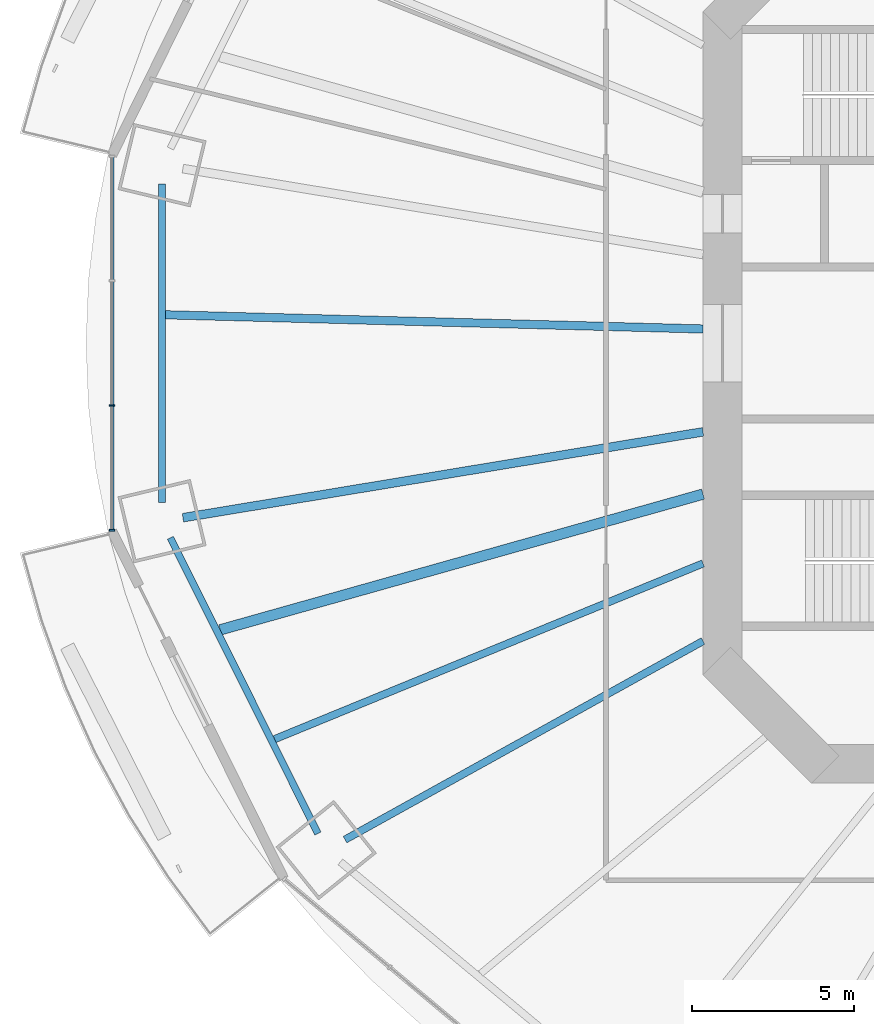
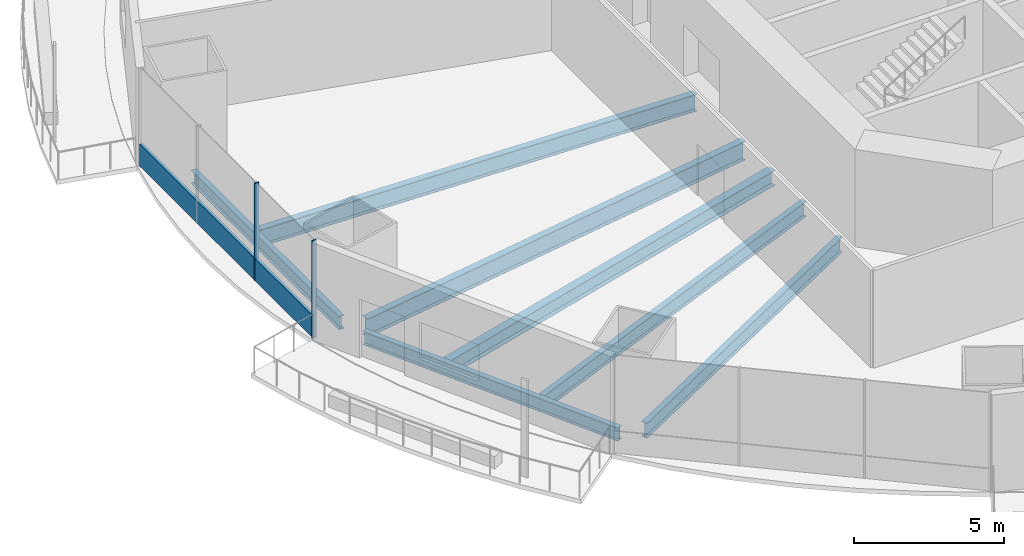
# One storey, part 3 of 22: 7 beams, 3 members, 1 element without a shape of its own.
"""IFC4 building model written with IfcOpenShell, lengths in metres."""

import ifcopenshell
import ifcopenshell.guid

model = None  # the IFC model being written
_history = None  # IfcOwnerHistory: only IFC2X3 demands one
_inside = {}  # id of a spatial element -> (the spatial element, [elements in it])
_under = {}  # id of a project, library or spatial element -> (it, [spatial elements below it])
_declared = {}  # id of a project -> (the project, [libraries it declares])
_typed = {}  # id of a type object -> (the type object, [elements of that type])
_made_of = {}  # id of a material, layer set ... -> (it, [elements and type objects made of it])


def new_model(schema):
    """Start an empty IFC model of exactly this schema.

    Asked for "IFC4X3", IfcOpenShell would pick the latest addendum, in which some entities
    have other attributes; the version numbers below select the first issue.
    IFC2X3 requires an IfcOwnerHistory on every rooted entity: one is made here for all.
    """
    global model, _history
    if schema == "IFC4X3":
        model = ifcopenshell.file(schema_version=(4, 3, 0, 0))
    else:
        model = ifcopenshell.file(schema=schema)
    _inside.clear()
    _under.clear()
    _declared.clear()
    _typed.clear()
    _made_of.clear()
    _history = None
    if model.schema == "IFC2X3":
        org = make("IfcOrganization", Name="unknown")
        user = make(
            "IfcPersonAndOrganization",
            ThePerson=make("IfcPerson", FamilyName="unknown"),
            TheOrganization=org,
        )
        app = make(
            "IfcApplication",
            ApplicationDeveloper=org,
            Version="unknown",
            ApplicationFullName="unknown",
            ApplicationIdentifier="unknown",
        )
        _history = make(
            "IfcOwnerHistory",
            OwningUser=user,
            OwningApplication=app,
            ChangeAction="ADDED",
            CreationDate=0,
        )
    return model


def make(cls, **values):
    """One entity of the class cls with the attributes given. An attribute that is None is left unset."""
    return model.create_entity(
        cls, **{name: value for name, value in values.items() if value is not None}
    )


def rooted(cls, **values):
    """An entity with a GlobalId (a new one), such as an element, a storey or a relation."""
    return make(cls, GlobalId=ifcopenshell.guid.new(), OwnerHistory=_history, **values)


def si_unit(unit_type, name, prefix=None):
    """IfcSIUnit, for example si_unit("LENGTHUNIT", "METRE", prefix="MILLI")."""
    return make("IfcSIUnit", UnitType=unit_type, Prefix=prefix, Name=name)


def assignment(units):
    """IfcUnitAssignment: the units of a project."""
    return None if units is None else make("IfcUnitAssignment", Units=units)


def point(xyz):
    """IfcCartesianPoint."""
    return None if xyz is None else make("IfcCartesianPoint", Coordinates=xyz)


def direction(xyz):
    """IfcDirection."""
    return None if xyz is None else make("IfcDirection", DirectionRatios=xyz)


def frame(location, z_axis=None, x_axis=None):
    """IfcAxis2Placement3D, a coordinate frame: its origin and axes. An axis left out is left unset."""
    return make(
        "IfcAxis2Placement3D",
        Location=point(location),
        Axis=direction(z_axis),
        RefDirection=direction(x_axis),
    )


def frame_2d(location, x_axis=None):
    """IfcAxis2Placement2D, a coordinate frame in the plane: its origin and x axis."""
    return make(
        "IfcAxis2Placement2D", Location=point(location), RefDirection=direction(x_axis)
    )


def origin():
    """The frame at (0, 0, 0) with its axes left unset."""
    return frame((0.0, 0.0, 0.0))


def origin_2d():
    """The frame at (0, 0) in the plane with its x axis left unset."""
    return frame_2d((0.0, 0.0))


def place(relative_to, where):
    """IfcLocalPlacement: puts the frame where relative to a parent placement (None: the world)."""
    return make(
        "IfcLocalPlacement", PlacementRelTo=relative_to, RelativePlacement=where
    )


def context(
    kind, dimensions, precision=None, world=None, true_north=None, identifier=None
):
    """IfcGeometricRepresentationContext, for example the 3D "Model" context."""
    return make(
        "IfcGeometricRepresentationContext",
        ContextIdentifier=identifier,
        ContextType=kind,
        CoordinateSpaceDimension=dimensions,
        Precision=precision,
        WorldCoordinateSystem=world,
        TrueNorth=true_north,
    )


def subcontext(parent, identifier, kind, view, scale=None):
    """IfcGeometricRepresentationSubContext, for example "Body" below "Model"."""
    return make(
        "IfcGeometricRepresentationSubContext",
        ContextIdentifier=identifier,
        ContextType=kind,
        ParentContext=parent,
        TargetScale=scale,
        TargetView=view,
    )


def project(units=None, contexts=None):
    """IfcProject with its units and contexts."""
    return rooted(
        "IfcProject",
        Name="project",
        RepresentationContexts=contexts,
        UnitsInContext=assignment(units),
    )


def spatial(cls, under=None, at=None, **own):
    """A site, building, storey or space (cls), placed at a placement, below another one or the project."""
    s = rooted(cls, ObjectPlacement=at, **own)
    if under is not None:
        _under.setdefault(under.id(), (under, []))[1].append(s)
    return s


def profile(cls, at=None, kind="AREA", **sizes):
    """A parametric profile (cls). Its sizes go by their IFC names, for example OverallWidth=200.0."""
    return make(cls, ProfileType=kind, Position=at, **sizes)


def rectangle(**sizes):
    """IfcRectangleProfileDef."""
    return profile("IfcRectangleProfileDef", **sizes)


def i_section(**sizes):
    """IfcIShapeProfileDef."""
    return profile("IfcIShapeProfileDef", **sizes)


def extrude(swept, where, along, depth):
    """IfcExtrudedAreaSolid: the profile swept, set in the frame where, extruded along a direction by depth."""
    return make(
        "IfcExtrudedAreaSolid",
        SweptArea=swept,
        Position=where,
        ExtrudedDirection=direction(along),
        Depth=depth,
    )


def shape(context_of_items, identifier, shape_type, items):
    """IfcShapeRepresentation: the items that make up one representation, for example the "Body"."""
    return make(
        "IfcShapeRepresentation",
        ContextOfItems=context_of_items,
        RepresentationIdentifier=identifier,
        RepresentationType=shape_type,
        Items=items,
    )


def material(Name=None, Category=None):
    """IfcMaterial."""
    return make("IfcMaterial", Name=Name, Category=Category)


def material_profile(
    of_material, cross_section, Name=None, Category=None, Priority=None
):
    """IfcMaterialProfile: a cross section and its material."""
    return make(
        "IfcMaterialProfile",
        Name=Name,
        Material=of_material,
        Profile=cross_section,
        Priority=Priority,
        Category=Category,
    )


def profile_set(profiles, Name=None, composite=None):
    """IfcMaterialProfileSet."""
    return make(
        "IfcMaterialProfileSet",
        Name=Name,
        MaterialProfiles=profiles,
        CompositeProfile=composite,
    )


def made_of(thing, what):
    """Note that an element or type object is made of a material, layer set ...; save() writes the relation."""
    if what is not None:
        _made_of.setdefault(what.id(), (what, []))[1].append(thing)
    return thing


def type_object(cls, material=None, **own):
    """A type object (cls), such as IfcWallType, which elements share."""
    return made_of(rooted(cls, **own), material)


def element(
    cls,
    number,
    at=None,
    inside=None,
    cuts=None,
    type_object=None,
    material=None,
    context=None,
    identifier="Body",
    shape_type=None,
    held_by="IfcProductDefinitionShape",
    body=None,
    shapes=None,
    **own,
):
    """One element of the class cls, such as IfcWall. Its Tag is "e" and its number.

    at: its placement. inside: the storey or other place that contains it. cuts: it is an
    opening in that element (IfcRelVoidsElement). A single representation is given by context,
    identifier, shape_type and body (its items); several are given by shapes. held_by: the class
    of the entity that holds the representations. save() writes the other relations.
    """
    e = rooted(cls, Tag="e%d" % number, ObjectPlacement=at, **own)
    if body is not None:
        shapes = [shape(context, identifier, shape_type, body)]
    if shapes is not None:
        e.Representation = make(held_by, Representations=shapes)
    if inside is not None:
        _inside.setdefault(inside.id(), (inside, []))[1].append(e)
    if cuts is not None:
        rooted(
            "IfcRelVoidsElement", RelatingBuildingElement=cuts, RelatedOpeningElement=e
        )
    if type_object is not None:
        _typed.setdefault(type_object.id(), (type_object, []))[1].append(e)
    return made_of(e, material)


def aggregate(whole, parts):
    """IfcRelAggregates: a whole, such as a stair, and the parts it consists of."""
    return rooted("IfcRelAggregates", RelatingObject=whole, RelatedObjects=parts)


def save(model, path):
    """Write the relations noted so far, then the file.

    IfcRelAggregates (storeys below a building ...), IfcRelContainedInSpatialStructure (elements
    in a storey), IfcRelDefinesByType, IfcRelAssociatesMaterial and IfcRelDeclares: one each for
    every whole, place, type object, material and project.
    """
    for whole, parts in _under.values():
        aggregate(whole, parts)
    for where, things in _inside.values():
        rooted(
            "IfcRelContainedInSpatialStructure",
            RelatedElements=things,
            RelatingStructure=where,
        )
    for kind, things in _typed.values():
        rooted("IfcRelDefinesByType", RelatedObjects=things, RelatingType=kind)
    for what, things in _made_of.values():
        rooted("IfcRelAssociatesMaterial", RelatedObjects=things, RelatingMaterial=what)
    for by, libraries in _declared.values():
        rooted("IfcRelDeclares", RelatingContext=by, RelatedDefinitions=libraries)
    model.write(path)


model = new_model("IFC4")

# Units and contexts
model_context = context("Model", 3, precision=1e-05, world=origin(), true_north=direction((0.0, 1.0)))
body_context = subcontext(model_context, "Body", "Model", "MODEL_VIEW")
ifc_project = project(units=[si_unit("LENGTHUNIT", "METRE"), si_unit("AREAUNIT", "SQUARE_METRE"), si_unit("VOLUMEUNIT", "CUBIC_METRE"), si_unit("PLANEANGLEUNIT", "RADIAN"), si_unit("MASSUNIT", "GRAM", prefix="KILO")], contexts=[model_context])

# Site, building, storey
site_placement = place(None, origin())
site = spatial("IfcSite", under=ifc_project, at=site_placement, CompositionType="ELEMENT")
building_placement = place(site_placement, origin())
building = spatial("IfcBuilding", under=site, at=building_placement, Name="Marenthal Gate Tower", CompositionType="ELEMENT")
storey_placement = place(building_placement, frame((0.0, 0.0, 74.5)))
storey = spatial("IfcBuildingStorey", under=building, at=storey_placement, Name="L14", CompositionType="ELEMENT", Elevation=74.5)

# Curtain wall, members
ifc_material_1 = material(Name="Aluminium and glass", Category="aluminium")
curtain_wall_type = type_object("IfcCurtainWallType", Name="Curtain wall typical low", PredefinedType="NOTDEFINED", material=ifc_material_1)
curtain_wall_placement = place(storey_placement, origin())
curtain_wall = element("IfcCurtainWall", 1, at=curtain_wall_placement, inside=storey, type_object=curtain_wall_type, Name="Curtain wall L14 bay 8", PredefinedType="NOTDEFINED")
ifc_material_2 = material(Name="Aluminium", Category="aluminium")
ifc_material_profile_1 = material_profile(ifc_material_2, rectangle(XDim=0.159912109375, YDim=0.06005859375, at=origin_2d()), Name="60x160 aluminium mullion")
ifc_profile_set_1 = profile_set([ifc_material_profile_1], Name="Aluminium")
member_type_1 = type_object("IfcMemberType", Name="Mullion 60x160 typical low", PredefinedType="MULLION", material=ifc_profile_set_1)
member_1_placement = place(storey_placement, frame((-34.869873046875, -1.927001953125, 0.0), z_axis=(0.0, 0.0, 1.0), x_axis=(1.0, 0.0, 0.0)))
member_1 = element("IfcMember", 2, at=member_1_placement, type_object=member_type_1, Name="Mullion L14 bay 8.3", PredefinedType="MULLION", context=body_context, shape_type="SweptSolid", body=[
    extrude(rectangle(XDim=0.159912109375, YDim=0.06005859375, at=origin_2d()), origin(), (0.0, 0.0, 1.0), 3.969970703125),
])
member_2_placement = place(storey_placement, frame((-34.869873046875, -5.780517578125, 0.0), z_axis=(0.0, 0.0, 1.0), x_axis=(1.0, 0.0, 0.0)))
member_2 = element("IfcMember", 3, at=member_2_placement, type_object=member_type_1, Name="Mullion L14 bay 8.4", PredefinedType="MULLION", context=body_context, shape_type="SweptSolid", body=[
    extrude(rectangle(XDim=0.159912109375, YDim=0.06005859375, at=origin_2d()), origin(), (0.0, 0.0, 1.0), 3.969970703125),
])
ifc_material_3 = material(Name="Aluminium", Category="aluminium")
ifc_material_profile_2 = material_profile(ifc_material_3, rectangle(XDim=0.1201171875, YDim=0.89990234375, at=origin_2d()), Name="120x900 aluminium transom")
ifc_profile_set_2 = profile_set([ifc_material_profile_2], Name="Aluminium")
member_type_2 = type_object("IfcMemberType", Name="Transom 120x900 typical low", PredefinedType="USERDEFINED", material=ifc_profile_set_2)
member_3_placement = place(storey_placement, frame((-34.869873046875, 5.75048828125, 0.449951171875), z_axis=(0.0, -1.0, 0.0), x_axis=(1.0, 0.0, 0.0)))
member_3 = element("IfcMember", 4, at=member_3_placement, type_object=member_type_2, Name="Transom L14 bay 8", ObjectType="TRANSOM", PredefinedType="USERDEFINED", context=body_context, shape_type="SweptSolid", body=[
    extrude(rectangle(XDim=0.1201171875, YDim=0.89990234375, at=origin_2d()), origin(), (0.0, 0.0, 1.0), 11.5009765625),
])
aggregate(curtain_wall, [member_1, member_2, member_3])

# Beams
ifc_material_4 = material(Name="Steel S355", Category="steel")
ifc_material_profile_3 = material_profile(ifc_material_4, i_section(OverallWidth=0.2119140625, OverallDepth=0.5439453125, WebThickness=0.01318359375, FlangeThickness=0.021240234375, FilletRadius=0.0126953125, at=origin_2d()), Name="W530X123")
ifc_profile_set_3 = profile_set([ifc_material_profile_3], Name="Steel S355")
beam_type_1 = type_object("IfcBeamType", Name="W530X123 beam", PredefinedType="BEAM", material=ifc_profile_set_3)
beam_1_placement = place(storey_placement, frame((-33.3203125, 4.922607421875, -0.451904296875), z_axis=(0.0, -1.0, 0.0), x_axis=(1.0, 0.0, 0.0)))
element("IfcBeam", 5, at=beam_1_placement, inside=storey, type_object=beam_type_1, Name="BM-L14-48", PredefinedType="BEAM", context=body_context, shape_type="SweptSolid", body=[
    extrude(i_section(OverallWidth=0.2119140625, OverallDepth=0.5439453125, WebThickness=0.01318359375, FlangeThickness=0.021240234375, FilletRadius=0.0126953125, at=origin_2d()), origin(), (0.0, 0.0, 1.0), 9.84521484375),
])
beam_2_placement = place(storey_placement, frame((-33.062255859375, -6.019287109375, -0.451904296875), z_axis=(0.446448228661, -0.894809465264, 0.0), x_axis=(0.894809465264, 0.446448228661, 0.0)))
element("IfcBeam", 6, at=beam_2_placement, inside=storey, type_object=beam_type_1, Name="BM-L14-49", PredefinedType="BEAM", context=body_context, shape_type="SweptSolid", body=[
    extrude(i_section(OverallWidth=0.2119140625, OverallDepth=0.5439453125, WebThickness=0.01318359375, FlangeThickness=0.021240234375, FilletRadius=0.0126953125, at=origin_2d()), origin(), (0.0, 0.0, 1.0), 10.209716796875),
])
ifc_material_5 = material(Name="Steel S355", Category="steel")
ifc_material_profile_4 = material_profile(ifc_material_5, i_section(OverallWidth=0.22900390625, OverallDepth=0.612060546875, WebThickness=0.011962890625, FlangeThickness=0.01953125, FilletRadius=0.0126953125, at=origin_2d()), Name="W610X125")
ifc_profile_set_4 = profile_set([ifc_material_profile_4], Name="Steel S355")
beam_type_2 = type_object("IfcBeamType", Name="W610X125 beam", PredefinedType="BEAM", material=ifc_profile_set_4)
beam_3_placement = place(storey_placement, frame((-27.6640625, -15.345703125, -0.486083984375), z_axis=(0.874465657006, 0.485087429972, 0.0), x_axis=(-0.485087429972, 0.874465657006, 0.0)))
element("IfcBeam", 7, at=beam_3_placement, inside=storey, type_object=beam_type_2, Name="BM-L14-10", PredefinedType="BEAM", context=body_context, shape_type="SweptSolid", body=[
    extrude(i_section(OverallWidth=0.22900390625, OverallDepth=0.612060546875, WebThickness=0.011962890625, FlangeThickness=0.01953125, FilletRadius=0.0126953125, at=origin_2d()), origin(), (0.0, 0.0, 1.0), 12.65234375),
])
beam_4_placement = place(storey_placement, frame((-29.840087890625, -12.239990234375, -0.486083984375), z_axis=(0.925190275705, 0.379503562225, 0.0), x_axis=(-0.379503562225, 0.925190275705, 0.0)))
element("IfcBeam", 8, at=beam_4_placement, inside=storey, type_object=beam_type_2, Name="BM-L14-30", PredefinedType="BEAM", context=body_context, shape_type="SweptSolid", body=[
    extrude(i_section(OverallWidth=0.22900390625, OverallDepth=0.612060546875, WebThickness=0.011962890625, FlangeThickness=0.01953125, FilletRadius=0.0126953125, at=origin_2d()), origin(), (0.0, 0.0, 1.0), 14.310546875),
])
ifc_material_6 = material(Name="Steel S355", Category="steel")
ifc_material_profile_5 = material_profile(ifc_material_6, i_section(OverallWidth=0.324951171875, OverallDepth=0.612060546875, WebThickness=0.0126953125, FlangeThickness=0.01904296875, FilletRadius=0.0126953125, at=origin_2d()), Name="W610X155")
ifc_profile_set_5 = profile_set([ifc_material_profile_5], Name="Steel S355")
beam_type_3 = type_object("IfcBeamType", Name="W610X155 beam", PredefinedType="BEAM", material=ifc_profile_set_5)
beam_5_placement = place(storey_placement, frame((-31.525390625, -8.862060546875, -0.486083984375), z_axis=(0.962687612966, 0.270615150797, 0.0), x_axis=(-0.270615150797, 0.962687612966, 0.0)))
element("IfcBeam", 9, at=beam_5_placement, inside=storey, type_object=beam_type_3, Name="BM-L14-29", PredefinedType="BEAM", context=body_context, shape_type="SweptSolid", body=[
    extrude(i_section(OverallWidth=0.324951171875, OverallDepth=0.612060546875, WebThickness=0.0126953125, FlangeThickness=0.01904296875, FilletRadius=0.0126953125, at=origin_2d()), origin(), (0.0, 0.0, 1.0), 15.503662109375),
])
ifc_material_7 = material(Name="Steel S355", Category="steel")
ifc_material_profile_6 = material_profile(ifc_material_7, i_section(OverallWidth=0.257080078125, OverallDepth=0.693115234375, WebThickness=0.014404296875, FlangeThickness=0.023681640625, FilletRadius=0.015380859375, at=origin_2d()), Name="W690X170")
ifc_profile_set_6 = profile_set([ifc_material_profile_6], Name="Steel S355")
beam_type_4 = type_object("IfcBeamType", Name="W690X170 beam", PredefinedType="BEAM", material=ifc_profile_set_6)
beam_6_placement = place(storey_placement, frame((-33.214111328125, 0.877685546875, -0.526611328125), z_axis=(0.999651138497, -0.026412143055, 0.0), x_axis=(0.026412143055, 0.999651138497, 0.0)))
element("IfcBeam", 10, at=beam_6_placement, inside=storey, type_object=beam_type_4, Name="BM-L14-28", PredefinedType="BEAM", context=body_context, shape_type="SweptSolid", body=[
    extrude(i_section(OverallWidth=0.257080078125, OverallDepth=0.693115234375, WebThickness=0.014404296875, FlangeThickness=0.023681640625, FilletRadius=0.015380859375, at=origin_2d()), origin(), (0.0, 0.0, 1.0), 16.619873046875),
])
ifc_material_8 = material(Name="Steel S355", Category="steel")
ifc_material_profile_7 = material_profile(ifc_material_8, i_section(OverallWidth=0.26708984375, OverallDepth=0.761962890625, WebThickness=0.014404296875, FlangeThickness=0.021484375, FilletRadius=0.0166015625, at=origin_2d()), Name="W760X173")
ifc_profile_set_7 = profile_set([ifc_material_profile_7], Name="Steel S355")
beam_type_5 = type_object("IfcBeamType", Name="W760X173 beam", PredefinedType="BEAM", material=ifc_profile_set_7)
beam_7_placement = place(storey_placement, frame((-32.676025390625, -5.39599609375, -0.56103515625), z_axis=(0.986637030798, 0.162933635137, 0.0), x_axis=(-0.162933635137, 0.986637030798, 0.0)))
element("IfcBeam", 11, at=beam_7_placement, inside=storey, type_object=beam_type_5, Name="BM-L14-09", PredefinedType="BEAM", context=body_context, shape_type="SweptSolid", body=[
    extrude(i_section(OverallWidth=0.26708984375, OverallDepth=0.761962890625, WebThickness=0.014404296875, FlangeThickness=0.021484375, FilletRadius=0.0166015625, at=origin_2d()), origin(), (0.0, 0.0, 1.0), 16.293701171875),
])

save(model, "model.ifc")
